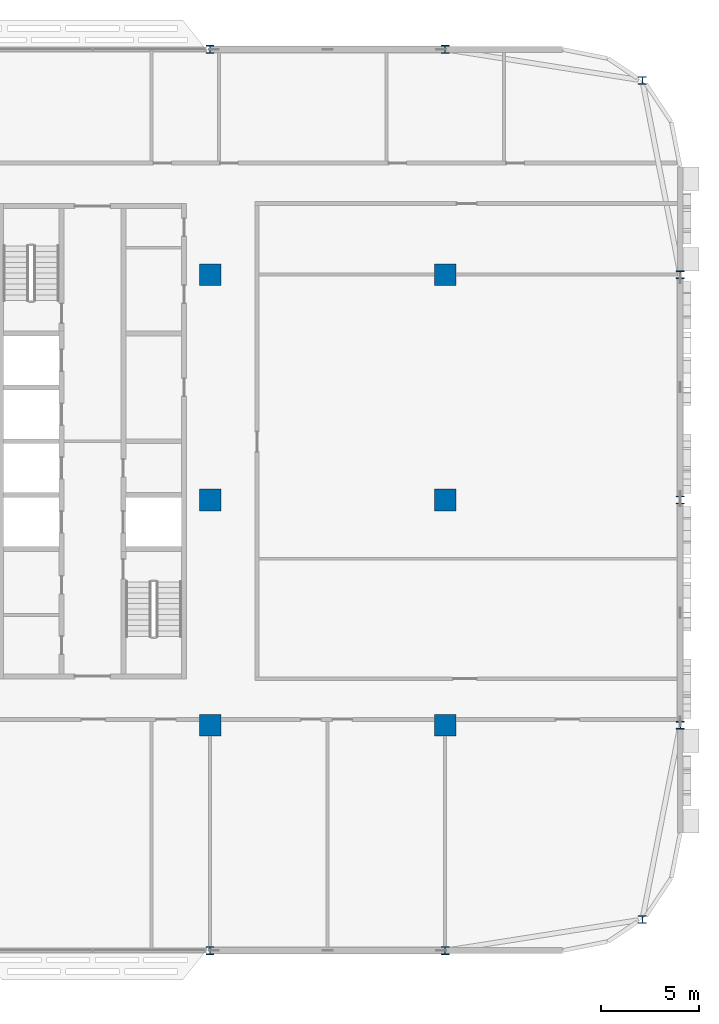
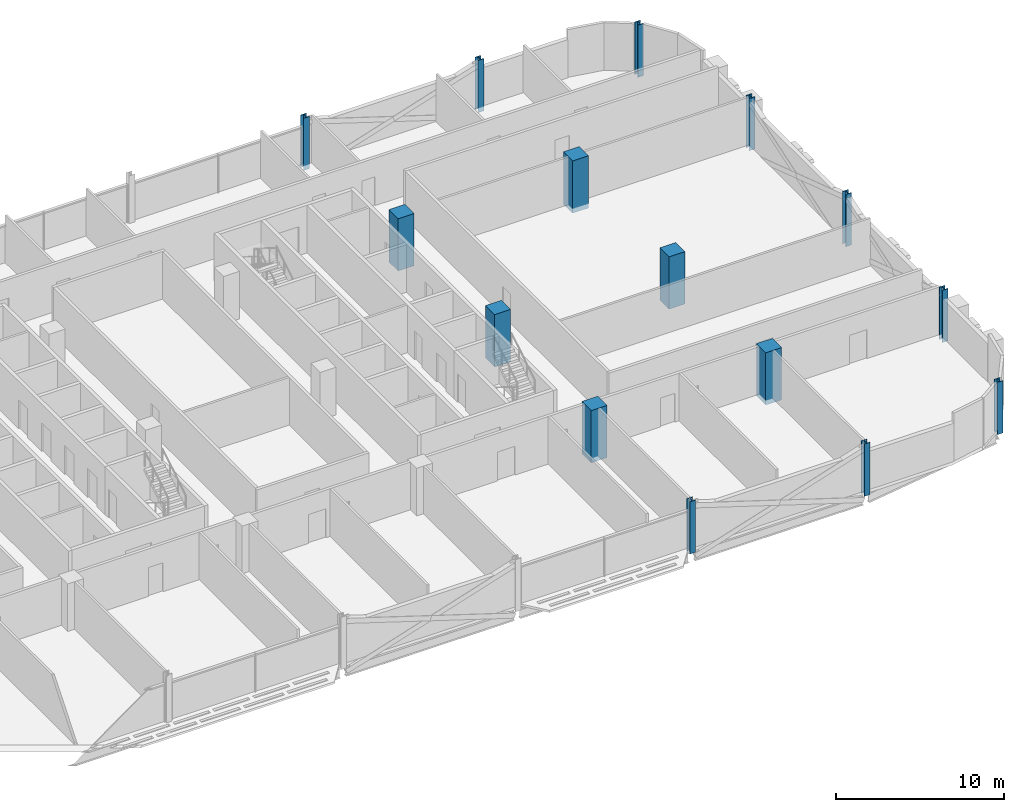
# One storey, part 3 of 29: 15 columns.
"""IFC4 building model written with IfcOpenShell, lengths in metres."""

from ifc_helpers import new_model, si_unit, direction, frame, origin, origin_2d, place, context, subcontext, project, spatial, rectangle, i_section, extrude, material, material_profile, profile_set, type_object, element, save


model = new_model("IFC4")

# Units and contexts
model_context = context("Model", 3, precision=1e-05, world=origin(), true_north=direction((0.0, 1.0)))
body_context = subcontext(model_context, "Body", "Model", "MODEL_VIEW")
ifc_project = project(units=[si_unit("LENGTHUNIT", "METRE"), si_unit("AREAUNIT", "SQUARE_METRE"), si_unit("VOLUMEUNIT", "CUBIC_METRE"), si_unit("PLANEANGLEUNIT", "RADIAN"), si_unit("MASSUNIT", "GRAM", prefix="KILO")], contexts=[model_context])

# Site, building, storey
site_placement = place(None, origin())
site = spatial("IfcSite", under=ifc_project, at=site_placement, CompositionType="ELEMENT")
building_placement = place(site_placement, origin())
building = spatial("IfcBuilding", under=site, at=building_placement, Name="Mahtab Terrace Research Tower", CompositionType="ELEMENT")
storey_placement = place(building_placement, frame((0.0, 0.0, 197.699951171875)))
storey = spatial("IfcBuildingStorey", under=building, at=storey_placement, Name="L47", CompositionType="ELEMENT", Elevation=197.699951171875)

# Columns
ifc_material_1 = material(Name="Concrete C70/85", Category="concrete")
ifc_material_profile_1 = material_profile(ifc_material_1, rectangle(XDim=1.10009765625, YDim=1.10009765625, at=origin_2d()), Name="RC column 1100x1100")
ifc_profile_set_1 = profile_set([ifc_material_profile_1], Name="Concrete C70/85")
column_type_1 = type_object("IfcColumnType", Name="RC column 1100x1100", PredefinedType="COLUMN", material=ifc_profile_set_1)
for number, where, z_axis, x_axis, name in (
    (1, (30.0, -11.5, -0.33984375), (0.0, 0.0, 1.0), (1.0, 0.0, 0.0), "Column RC-7A L47"),
    (2, (30.0, 0.0, -0.33984375), (0.0, 0.0, 1.0), (1.0, 0.0, 0.0), "Column RC-7B L47"),
    (3, (30.0, 11.5, -0.33984375), (0.0, 0.0, 1.0), (1.0, 0.0, 0.0), "Column RC-7C L47"),
    (4, (42.0, -11.5, -0.33984375), (0.0, 0.0, 1.0), (1.0, 0.0, 0.0), "Column RC-8A L47"),
    (5, (42.0, 0.0, -0.33984375), (0.0, 0.0, 1.0), (1.0, 0.0, 0.0), "Column RC-8B L47"),
    (6, (42.0, 11.5, -0.33984375), (0.0, 0.0, 1.0), (1.0, 0.0, 0.0), "Column RC-8C L47"),
):
    element("IfcColumn", number, at=place(storey_placement, frame(where, z_axis=z_axis, x_axis=x_axis)), inside=storey, type_object=column_type_1, Name=name, PredefinedType="COLUMN", context=body_context, shape_type="SweptSolid", body=[
        extrude(rectangle(XDim=1.10009765625, YDim=1.10009765625, at=origin_2d()), origin(), (0.0, 0.0, 1.0), 3.7998046875),
    ])
ifc_material_2 = material(Name="Steel ASTM A992 Gr 50", Category="steel")
ifc_material_profile_2 = material_profile(ifc_material_2, i_section(OverallWidth=0.4013671875, OverallDepth=0.398681640625, WebThickness=0.02490234375, FlangeThickness=0.03955078125, at=origin_2d()), Name="W14X211")
ifc_profile_set_2 = profile_set([ifc_material_profile_2], Name="Steel ASTM A992 Gr 50")
column_type_2 = type_object("IfcColumnType", Name="W14x211 column CS14211", PredefinedType="COLUMN", material=ifc_profile_set_2)
for number, where, z_axis, x_axis, name in (
    (7, (52.06201171875, 21.416015625, -0.33984375), (0.0, 0.0, 1.0), (1.0, 0.0, 0.0), "Column SC-023 L47"),
    (8, (42.0, 23.0, -0.33984375), (0.0, 0.0, 1.0), (1.0, 0.0, 0.0), "Column SC-001 L47"),
    (9, (30.0, 23.0, -0.33984375), (0.0, 0.0, 1.0), (1.0, 0.0, 0.0), "Column SC-002 L47"),
    (10, (30.0, -23.0, -0.33984375), (0.0, 0.0, 1.0), (1.0, 0.0, 0.0), "Column SC-018 L47"),
    (11, (42.0, -23.0, -0.33984375), (0.0, 0.0, 1.0), (1.0, 0.0, 0.0), "Column SC-019 L47"),
    (12, (52.06201171875, -21.416015625, -0.33984375), (0.0, 0.0, 1.0), (1.0, 0.0, 0.0), "Column SC-026 L47"),
    (13, (54.0, -11.5, -0.33984375), (0.0, 0.0, 1.0), (1.0, 0.0, 0.0), "Column SC-027 L47"),
    (14, (54.0, 0.0, -0.33984375), (0.0, 0.0, 1.0), (1.0, 0.0, 0.0), "Column SC-028 L47"),
    (15, (54.0, 11.5, -0.33984375), (0.0, 0.0, 1.0), (1.0, 0.0, 0.0), "Column SC-029 L47"),
):
    element("IfcColumn", number, at=place(storey_placement, frame(where, z_axis=z_axis, x_axis=x_axis)), inside=storey, type_object=column_type_2, Name=name, PredefinedType="COLUMN", context=body_context, shape_type="SweptSolid", body=[
        extrude(i_section(OverallWidth=0.4013671875, OverallDepth=0.398681640625, WebThickness=0.02490234375, FlangeThickness=0.03955078125, at=origin_2d()), origin(), (0.0, 0.0, 1.0), 3.7998046875),
    ])

save(model, "model.ifc")
